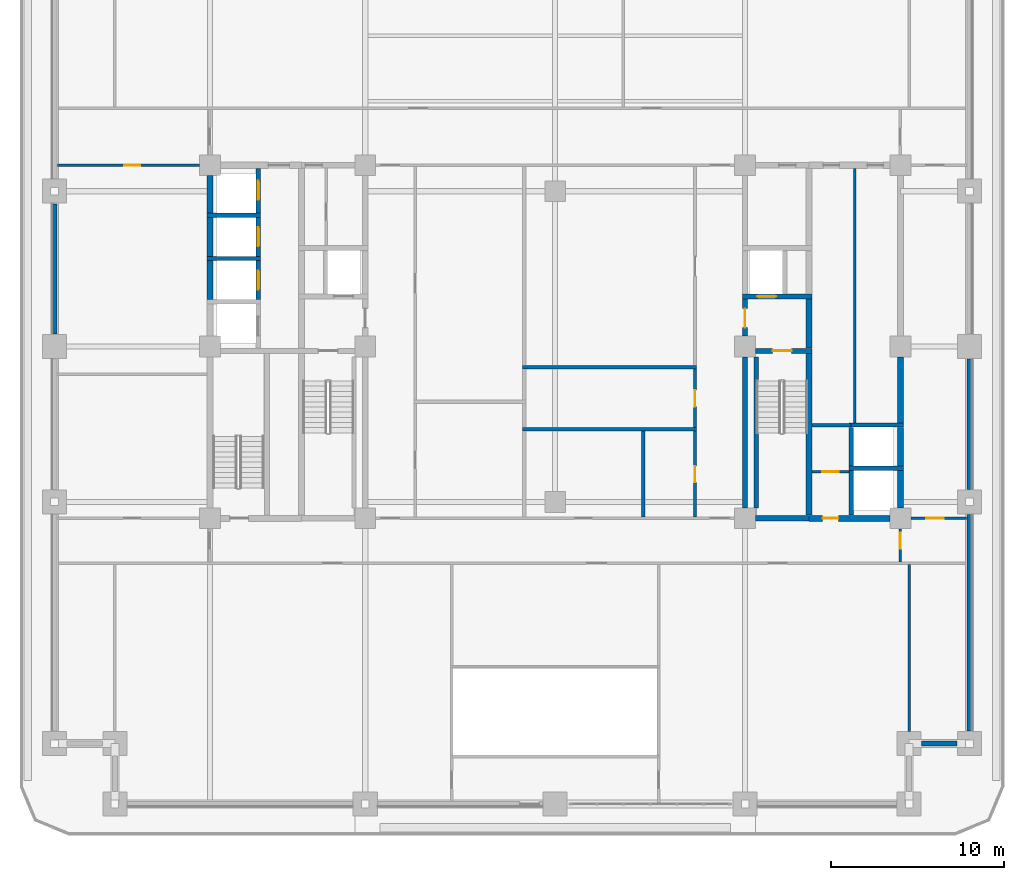
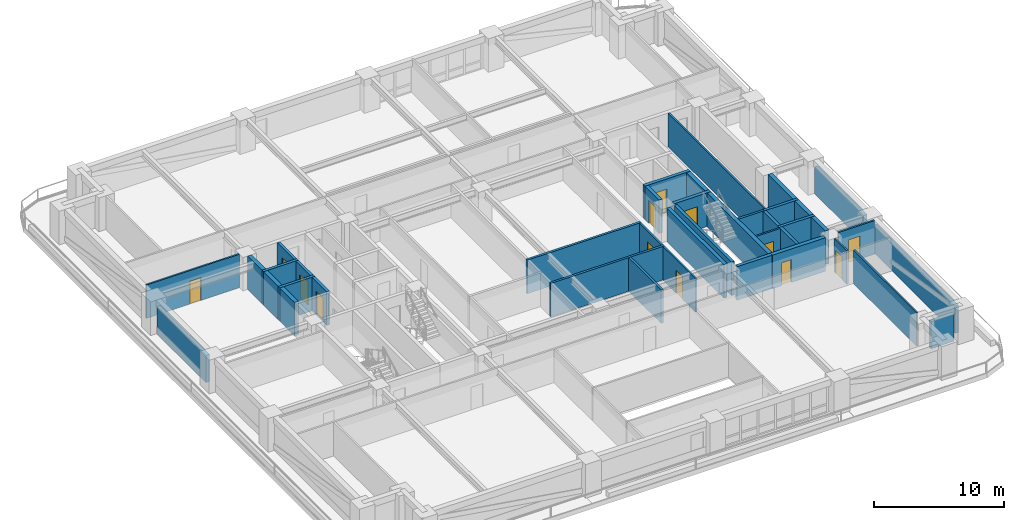
# One storey, part 8 of 18: 40 walls, 13 doors, 13 openings.
"""IFC4 building model written with IfcOpenShell, lengths in metres."""

from ifc_helpers import new_model, si_unit, direction, frame, frame_2d, origin, place, context, subcontext, project, spatial, rectangle, extrude, material, layer, layer_set, type_object, element, fill, save


model = new_model("IFC4")

# Units and contexts
model_context = context("Model", 3, precision=1e-05, world=origin(), true_north=direction((0.0, 1.0)))
body_context = subcontext(model_context, "Body", "Model", "MODEL_VIEW")
ifc_project = project(units=[si_unit("LENGTHUNIT", "METRE"), si_unit("AREAUNIT", "SQUARE_METRE"), si_unit("VOLUMEUNIT", "CUBIC_METRE"), si_unit("PLANEANGLEUNIT", "RADIAN"), si_unit("MASSUNIT", "GRAM", prefix="KILO")], contexts=[model_context])

# Site, building, storey
site_placement = place(None, origin())
site = spatial("IfcSite", under=ifc_project, at=site_placement, CompositionType="ELEMENT")
building_placement = place(site_placement, origin())
building = spatial("IfcBuilding", under=site, at=building_placement, Name="Zulmaris Gate Convention Tower", CompositionType="ELEMENT")
storey_placement = place(building_placement, frame((0.0, 0.0, 78.60986328125)))
storey = spatial("IfcBuildingStorey", under=building, at=storey_placement, Name="L19", CompositionType="ELEMENT", Elevation=78.60986328125)

# Walls
ifc_material_1 = material(Name="Concrete C50/60", Category="concrete")
ifc_layer_1 = layer(ifc_material_1, 0.25, Name="Concrete C50/60")
ifc_layer_set_1 = layer_set([ifc_layer_1], Name="Concrete C50/60")
wall_type_1 = type_object("IfcWallType", Name="CORE-250", PredefinedType="SOLIDWALL", material=ifc_layer_set_1)
for number, where, z_axis, x_axis, name in (
    (1, (17.02490234375, -7.050048828125, 0.0), (0.0, 0.0, 1.0), (1.0, 0.0, 0.0), "WL-L19-005"),
    (2, (17.02490234375, -4.550048828125, 0.0), (0.0, 0.0, 1.0), (1.0, 0.0, 0.0), "WL-L19-006"),
):
    element("IfcWall", number, at=place(storey_placement, frame(where, z_axis=z_axis, x_axis=x_axis)), inside=storey, type_object=wall_type_1, Name=name, PredefinedType="SOLIDWALL", context=body_context, shape_type="SweptSolid", body=[
        extrude(rectangle(XDim=3.150146484375, YDim=0.25, at=frame_2d((1.5751953125, 0.0))), origin(), (0.0, 0.0, 1.0), 3.14501953125),
    ])
for number, where, z_axis, x_axis, name in (
    (3, (-20.175048828125, 5.10009765625, 0.0), (0.0, 0.0, 1.0), (1.0, 0.0, 0.0), "WL-L19-012"),
    (4, (-20.175048828125, 7.60009765625, 0.0), (0.0, 0.0, 1.0), (1.0, 0.0, 0.0), "WL-L19-015"),
):
    element("IfcWall", number, at=place(storey_placement, frame(where, z_axis=z_axis, x_axis=x_axis)), inside=storey, type_object=wall_type_1, Name=name, PredefinedType="SOLIDWALL", context=body_context, shape_type="SweptSolid", body=[
        extrude(rectangle(XDim=3.10009765625, YDim=0.25, at=frame_2d((1.550048828125, 0.0))), origin(), (0.0, 0.0, 1.0), 3.14501953125),
    ])

# Wall, opening, door
wall_1_placement = place(storey_placement, frame((-17.199951171875, 2.72705078125, 0.0), z_axis=(0.0, 0.0, 1.0), x_axis=(0.0, 1.0, 0.0)))
wall_1 = element("IfcWall", 5, at=wall_1_placement, inside=storey, type_object=wall_type_1, Name="WL-L19-042", PredefinedType="SOLIDWALL", context=body_context, shape_type="SweptSolid", body=[
    extrude(rectangle(XDim=2.245849609375, YDim=0.25, at=frame_2d((1.123046875, 0.0))), origin(), (0.0, 0.0, 1.0), 3.14501953125),
])
opening_1_placement = place(wall_1_placement, frame((0.572998046875, 0.0, 0.0)))
opening_1 = element("IfcOpeningElement", 6, at=opening_1_placement, cuts=wall_1, Name="Opening D-06", PredefinedType="OPENING", context=body_context, shape_type="SweptSolid", body=[
    extrude(rectangle(XDim=1.10009765625, YDim=2.199951171875, at=frame_2d((0.550048828125, 1.10009765625))), frame((0.0, 0.135009765625, 0.0), z_axis=(0.0, -1.0, 0.0), x_axis=(1.0, 0.0, 0.0)), (0.0, 0.0, 1.0), 0.27001953125),
])
ifc_material_2 = material(Name="Brushed Stainless Steel", Category="steel")
door_type_1 = type_object("IfcDoorType", Name="LD-1100", OperationType="NOTDEFINED", PredefinedType="DOOR", material=ifc_material_2)
door_1_placement = place(opening_1_placement, origin())
door_1 = element("IfcDoor", 7, at=door_1_placement, inside=storey, type_object=door_type_1, Name="L19 Lift Landing Door LP-02 13", OperationType="SLIDING_TO_LEFT", OverallHeight=2.199951171875, OverallWidth=1.10009765625, PredefinedType="DOOR", context=body_context, shape_type="SweptSolid", body=[
    extrude(rectangle(XDim=1.10009765625, YDim=2.199951171875, at=frame_2d((0.550048828125, 1.10009765625))), frame((0.0, 0.02490234375, 0.0), z_axis=(0.0, -1.0, 0.0), x_axis=(1.0, 0.0, 0.0)), (0.0, 0.0, 1.0), 0.050048828125),
])
fill(opening_1, door_1)

wall_2_placement = place(storey_placement, frame((-17.199951171875, 5.22705078125, 0.0), z_axis=(0.0, 0.0, 1.0), x_axis=(0.0, 1.0, 0.0)))
wall_2 = element("IfcWall", 8, at=wall_2_placement, inside=storey, type_object=wall_type_1, Name="WL-L19-043", PredefinedType="SOLIDWALL", context=body_context, shape_type="SweptSolid", body=[
    extrude(rectangle(XDim=2.245849609375, YDim=0.25, at=frame_2d((1.123046875, 0.0))), origin(), (0.0, 0.0, 1.0), 3.14501953125),
])
opening_2_placement = place(wall_2_placement, frame((0.572998046875, 0.0, 0.0)))
opening_2 = element("IfcOpeningElement", 9, at=opening_2_placement, cuts=wall_2, Name="Opening D-06", PredefinedType="OPENING", context=body_context, shape_type="SweptSolid", body=[
    extrude(rectangle(XDim=1.10009765625, YDim=2.199951171875, at=frame_2d((0.550048828125, 1.10009765625))), frame((0.0, 0.135009765625, 0.0), z_axis=(0.0, -1.0, 0.0), x_axis=(1.0, 0.0, 0.0)), (0.0, 0.0, 1.0), 0.27001953125),
])
door_2_placement = place(opening_2_placement, origin())
door_2 = element("IfcDoor", 10, at=door_2_placement, inside=storey, type_object=door_type_1, Name="L19 Lift Landing Door LP-03 14", OperationType="SLIDING_TO_LEFT", OverallHeight=2.199951171875, OverallWidth=1.10009765625, PredefinedType="DOOR", context=body_context, shape_type="SweptSolid", body=[
    extrude(rectangle(XDim=1.10009765625, YDim=2.199951171875, at=frame_2d((0.550048828125, 1.10009765625))), frame((0.0, 0.02490234375, 0.0), z_axis=(0.0, -1.0, 0.0), x_axis=(1.0, 0.0, 0.0)), (0.0, 0.0, 1.0), 0.050048828125),
])
fill(opening_2, door_2)

wall_3_placement = place(storey_placement, frame((-17.199951171875, 7.72705078125, 0.0), z_axis=(0.0, 0.0, 1.0), x_axis=(0.0, 1.0, 0.0)))
wall_3 = element("IfcWall", 11, at=wall_3_placement, inside=storey, type_object=wall_type_1, Name="WL-L19-044", PredefinedType="SOLIDWALL", context=body_context, shape_type="SweptSolid", body=[
    extrude(rectangle(XDim=2.595947265625, YDim=0.25, at=frame_2d((1.2978515625, 0.0))), origin(), (0.0, 0.0, 1.0), 3.14501953125),
])
opening_3_placement = place(wall_3_placement, frame((0.77294921875, 0.0, 0.0)))
opening_3 = element("IfcOpeningElement", 12, at=opening_3_placement, cuts=wall_3, Name="Opening D-06", PredefinedType="OPENING", context=body_context, shape_type="SweptSolid", body=[
    extrude(rectangle(XDim=1.10009765625, YDim=2.199951171875, at=frame_2d((0.550048828125, 1.10009765625))), frame((0.0, 0.135009765625, 0.0), z_axis=(0.0, -1.0, 0.0), x_axis=(1.0, 0.0, 0.0)), (0.0, 0.0, 1.0), 0.27001953125),
])
door_3_placement = place(opening_3_placement, origin())
door_3 = element("IfcDoor", 13, at=door_3_placement, inside=storey, type_object=door_type_1, Name="L19 Lift Landing Door LP-04 15", OperationType="SLIDING_TO_LEFT", OverallHeight=2.199951171875, OverallWidth=1.10009765625, PredefinedType="DOOR", context=body_context, shape_type="SweptSolid", body=[
    extrude(rectangle(XDim=1.10009765625, YDim=2.199951171875, at=frame_2d((0.550048828125, 1.10009765625))), frame((0.0, 0.02490234375, 0.0), z_axis=(0.0, -1.0, 0.0), x_axis=(1.0, 0.0, 0.0)), (0.0, 0.0, 1.0), 0.050048828125),
])
fill(opening_3, door_3)

# Walls
wall_4_placement = place(storey_placement, frame((11.64990234375, -9.345947265625, 0.0), z_axis=(0.0, 0.0, 1.0), x_axis=(0.0, 1.0, 0.0)))
element("IfcWall", 14, at=wall_4_placement, inside=storey, type_object=wall_type_1, Name="WL-L19-060", PredefinedType="SOLIDWALL", context=body_context, shape_type="SweptSolid", body=[
    extrude(rectangle(XDim=8.741943359375, YDim=0.25, at=frame_2d((4.37109375, 0.0))), origin(), (0.0, 0.0, 1.0), 3.14501953125),
])
wall_5_placement = place(storey_placement, frame((17.14990234375, -9.77294921875, 0.0), z_axis=(0.0, 0.0, 1.0), x_axis=(0.0, 1.0, 0.0)))
element("IfcWall", 15, at=wall_5_placement, inside=storey, type_object=wall_type_1, Name="WL-L19-066", PredefinedType="SOLIDWALL", context=body_context, shape_type="SweptSolid", body=[
    extrude(rectangle(XDim=2.595947265625, YDim=0.25, at=frame_2d((1.2978515625, 0.0))), origin(), (0.0, 0.0, 1.0), 3.14501953125),
])
wall_6_placement = place(storey_placement, frame((17.14990234375, -6.923095703125, 0.0), z_axis=(0.0, 0.0, 1.0), x_axis=(0.0, 1.0, 0.0)))
element("IfcWall", 16, at=wall_6_placement, inside=storey, type_object=wall_type_1, Name="WL-L19-067", PredefinedType="SOLIDWALL", context=body_context, shape_type="SweptSolid", body=[
    extrude(rectangle(XDim=2.24609375, YDim=0.25, at=frame_2d((1.123046875, 0.0))), origin(), (0.0, 0.0, 1.0), 3.14501953125),
])
ifc_layer_2 = layer(ifc_material_1, 0.300048828125, Name="Concrete C50/60")
ifc_layer_set_2 = layer_set([ifc_layer_2], Name="Concrete C50/60")
wall_type_2 = type_object("IfcWallType", Name="CORE-300", PredefinedType="SHEAR", material=ifc_layer_set_2)
wall_7_placement = place(storey_placement, frame((11.60400390625, -9.949951171875, 0.0), z_axis=(0.0, 0.0, 1.0), x_axis=(1.0, 0.0, 0.0)))
element("IfcWall", 17, at=wall_7_placement, inside=storey, type_object=wall_type_2, Name="WL-L19-003", PredefinedType="SHEAR", context=body_context, shape_type="SweptSolid", body=[
    extrude(rectangle(XDim=3.095947265625, YDim=0.300048828125, at=frame_2d((1.5478515625, 0.0))), origin(), (0.0, 0.0, 1.0), 3.14501953125),
])

# Wall, opening, door
wall_8_placement = place(storey_placement, frame((11.60400390625, -0.25, 0.0), z_axis=(0.0, 0.0, 1.0), x_axis=(1.0, 0.0, 0.0)))
wall_8 = element("IfcWall", 18, at=wall_8_placement, inside=storey, type_object=wall_type_2, Name="WL-L19-008", PredefinedType="SHEAR", context=body_context, shape_type="SweptSolid", body=[
    extrude(rectangle(XDim=3.27099609375, YDim=0.300048828125, at=frame_2d((1.635498046875, 0.0))), origin(), (0.0, 0.0, 1.0), 3.14501953125),
])
opening_4_placement = place(wall_8_placement, frame((0.99609375, 0.0, 0.0)))
opening_4 = element("IfcOpeningElement", 19, at=opening_4_placement, cuts=wall_8, Name="Opening D-08", PredefinedType="OPENING", context=body_context, shape_type="SweptSolid", body=[
    extrude(rectangle(XDim=1.10009765625, YDim=2.14990234375, at=frame_2d((0.550048828125, 1.074951171875))), frame((0.0, 0.16015625, 0.0), z_axis=(0.0, -1.0, 0.0), x_axis=(1.0, 0.0, 0.0)), (0.0, 0.0, 1.0), 0.320068359375),
])
ifc_material_3 = material(Name="Fire-Rated Steel", Category="steel")
door_type_2 = type_object("IfcDoorType", Name="DR-1100-FD", OperationType="NOTDEFINED", PredefinedType="DOOR", material=ifc_material_3)
door_4_placement = place(opening_4_placement, origin())
door_4 = element("IfcDoor", 20, at=door_4_placement, inside=storey, type_object=door_type_2, Name="L19 Exit Stair ST-2 Door 04", OperationType="SINGLE_SWING_RIGHT", OverallHeight=2.14990234375, OverallWidth=1.10009765625, PredefinedType="DOOR", context=body_context, shape_type="SweptSolid", body=[
    extrude(rectangle(XDim=1.10009765625, YDim=2.14990234375, at=frame_2d((0.550048828125, 1.074951171875))), frame((0.0, 0.02490234375, 0.0), z_axis=(0.0, -1.0, 0.0), x_axis=(1.0, 0.0, 0.0)), (0.0, 0.0, 1.0), 0.050048828125),
])
fill(opening_4, door_4)

wall_9_placement = place(storey_placement, frame((10.85009765625, 2.89990234375, 0.0), z_axis=(0.0, 0.0, 1.0), x_axis=(1.0, 0.0, 0.0)))
wall_9 = element("IfcWall", 21, at=wall_9_placement, inside=storey, type_object=wall_type_2, Name="WL-L19-011", PredefinedType="SHEAR", context=body_context, shape_type="SweptSolid", body=[
    extrude(rectangle(XDim=4.02490234375, YDim=0.300048828125, at=frame_2d((2.012451171875, 0.0))), origin(), (0.0, 0.0, 1.0), 3.14501953125),
])
opening_5_placement = place(wall_9_placement, frame((0.85009765625, 0.0, 0.0)))
opening_5 = element("IfcOpeningElement", 22, at=opening_5_placement, cuts=wall_9, Name="Opening D-06", PredefinedType="OPENING", context=body_context, shape_type="SweptSolid", body=[
    extrude(rectangle(XDim=1.10009765625, YDim=2.199951171875, at=frame_2d((0.550048828125, 1.10009765625))), frame((0.0, 0.16015625, 0.0), z_axis=(0.0, -1.0, 0.0), x_axis=(1.0, 0.0, 0.0)), (0.0, 0.0, 1.0), 0.320068359375),
])
door_5_placement = place(opening_5_placement, origin())
door_5 = element("IfcDoor", 23, at=door_5_placement, inside=storey, type_object=door_type_1, Name="L19 Lift Landing Door LF-02 06", OperationType="SLIDING_TO_RIGHT", OverallHeight=2.199951171875, OverallWidth=1.10009765625, PredefinedType="DOOR", context=body_context, shape_type="SweptSolid", body=[
    extrude(rectangle(XDim=1.10009765625, YDim=2.199951171875, at=frame_2d((0.550048828125, 1.10009765625))), frame((0.0, 0.02490234375, 0.0), z_axis=(0.0, -1.0, 0.0), x_axis=(1.0, 0.0, 0.0)), (0.0, 0.0, 1.0), 0.050048828125),
])
fill(opening_5, door_5)

# Wall
wall_10_placement = place(storey_placement, frame((11.0, -9.345947265625, 0.0), z_axis=(0.0, 0.0, 1.0), x_axis=(0.0, 1.0, 0.0)))
element("IfcWall", 24, at=wall_10_placement, inside=storey, type_object=wall_type_2, Name="WL-L19-056", PredefinedType="SHEAR", context=body_context, shape_type="SweptSolid", body=[
    extrude(rectangle(XDim=8.741943359375, YDim=0.300048828125, at=frame_2d((4.37109375, 0.0))), origin(), (0.0, 0.0, 1.0), 3.14501953125),
])

# Wall, opening, door
wall_11_placement = place(storey_placement, frame((11.0, 0.60400390625, 0.0), z_axis=(0.0, 0.0, 1.0), x_axis=(0.0, 1.0, 0.0)))
wall_11 = element("IfcWall", 25, at=wall_11_placement, inside=storey, type_object=wall_type_2, Name="WL-L19-057", PredefinedType="SHEAR", context=body_context, shape_type="SweptSolid", body=[
    extrude(rectangle(XDim=2.14404296875, YDim=0.300048828125, at=frame_2d((1.072021484375, 0.0))), origin(), (0.0, 0.0, 1.0), 3.14501953125),
])
opening_6_placement = place(wall_11_placement, frame((0.49609375, 0.0, 0.0)))
opening_6 = element("IfcOpeningElement", 26, at=opening_6_placement, cuts=wall_11, Name="Opening D-08", PredefinedType="OPENING", context=body_context, shape_type="SweptSolid", body=[
    extrude(rectangle(XDim=1.10009765625, YDim=2.14990234375, at=frame_2d((0.550048828125, 1.074951171875))), frame((0.0, 0.16015625, 0.0), z_axis=(0.0, -1.0, 0.0), x_axis=(1.0, 0.0, 0.0)), (0.0, 0.0, 1.0), 0.320068359375),
])
door_6_placement = place(opening_6_placement, origin())
door_6 = element("IfcDoor", 27, at=door_6_placement, inside=storey, type_object=door_type_2, Name="L19 East Firefighting Lobby Door 05", OperationType="SINGLE_SWING_LEFT", OverallHeight=2.14990234375, OverallWidth=1.10009765625, PredefinedType="DOOR", context=body_context, shape_type="SweptSolid", body=[
    extrude(rectangle(XDim=1.10009765625, YDim=2.14990234375, at=frame_2d((0.550048828125, 1.074951171875))), frame((0.0, 0.02490234375, 0.0), z_axis=(0.0, -1.0, 0.0), x_axis=(1.0, 0.0, 0.0)), (0.0, 0.0, 1.0), 0.050048828125),
])
fill(opening_6, door_6)

ifc_material_4 = material(Name="Concrete C55/67", Category="concrete")
ifc_layer_3 = layer(ifc_material_4, 0.35009765625, Name="Concrete C55/67")
ifc_layer_set_3 = layer_set([ifc_layer_3], Name="Concrete C55/67")
wall_type_3 = type_object("IfcWallType", Name="CORE-350", PredefinedType="SHEAR", material=ifc_layer_set_3)
wall_12_placement = place(storey_placement, frame((14.699951171875, -9.949951171875, 0.0), z_axis=(0.0, 0.0, 1.0), x_axis=(1.0, 0.0, 0.0)))
wall_12 = element("IfcWall", 28, at=wall_12_placement, inside=storey, type_object=wall_type_3, Name="WL-L19-004", PredefinedType="SHEAR", context=body_context, shape_type="SweptSolid", body=[
    extrude(rectangle(XDim=4.696044921875, YDim=0.35009765625, at=frame_2d((2.34814453125, 0.0))), origin(), (0.0, 0.0, 1.0), 3.14501953125),
])
opening_7_placement = place(wall_12_placement, frame((0.800048828125, 0.0, 0.0)))
opening_7 = element("IfcOpeningElement", 29, at=opening_7_placement, cuts=wall_12, Name="Opening D-12", PredefinedType="OPENING", context=body_context, shape_type="SweptSolid", body=[
    extrude(rectangle(XDim=0.89990234375, YDim=2.14990234375, at=frame_2d((0.449951171875, 1.074951171875))), frame((0.0, 0.18505859375, 0.0), z_axis=(0.0, -1.0, 0.0), x_axis=(1.0, 0.0, 0.0)), (0.0, 0.0, 1.0), 0.3701171875),
])
ifc_material_5 = material(Name="Fire-Rated Timber", Category="wood")
door_type_3 = type_object("IfcDoorType", Name="DR-900-FD", OperationType="NOTDEFINED", PredefinedType="DOOR", material=ifc_material_5)
door_7_placement = place(opening_7_placement, origin())
door_7 = element("IfcDoor", 30, at=door_7_placement, inside=storey, type_object=door_type_3, Name="L19 East Cleaners Store Door 16", OperationType="SINGLE_SWING_LEFT", OverallHeight=2.14990234375, OverallWidth=0.89990234375, PredefinedType="DOOR", context=body_context, shape_type="SweptSolid", body=[
    extrude(rectangle(XDim=0.89990234375, YDim=2.14990234375, at=frame_2d((0.449951171875, 1.074951171875))), frame((0.0, 0.02490234375, 0.0), z_axis=(0.0, -1.0, 0.0), x_axis=(1.0, 0.0, 0.0)), (0.0, 0.0, 1.0), 0.050048828125),
])
fill(opening_7, door_7)

# Walls
for number, where, z_axis, x_axis, name in (
    (31, (-20.0, 2.72705078125, 0.0), (0.0, 0.0, 1.0), (0.0, 1.0, 0.0), "WL-L19-038"),
    (32, (-20.0, 5.22705078125, 0.0), (0.0, 0.0, 1.0), (0.0, 1.0, 0.0), "WL-L19-039"),
):
    element("IfcWall", number, at=place(storey_placement, frame(where, z_axis=z_axis, x_axis=x_axis)), inside=storey, type_object=wall_type_3, Name=name, PredefinedType="SHEAR", context=body_context, shape_type="SweptSolid", body=[
        extrude(rectangle(XDim=2.245849609375, YDim=0.35009765625, at=frame_2d((1.123046875, 0.0))), origin(), (0.0, 0.0, 1.0), 3.14501953125),
    ])
wall_13_placement = place(storey_placement, frame((-20.0, 7.72705078125, 0.0), z_axis=(0.0, 0.0, 1.0), x_axis=(0.0, 1.0, 0.0)))
element("IfcWall", 33, at=wall_13_placement, inside=storey, type_object=wall_type_3, Name="WL-L19-040", PredefinedType="SHEAR", context=body_context, shape_type="SweptSolid", body=[
    extrude(rectangle(XDim=2.1689453125, YDim=0.35009765625, at=frame_2d((1.08447265625, 0.0))), origin(), (0.0, 0.0, 1.0), 3.14501953125),
])
wall_14_placement = place(storey_placement, frame((14.699951171875, -9.77294921875, 0.0), z_axis=(0.0, 0.0, 1.0), x_axis=(0.0, 1.0, 0.0)))
element("IfcWall", 34, at=wall_14_placement, inside=storey, type_object=wall_type_3, Name="WL-L19-062", PredefinedType="SHEAR", context=body_context, shape_type="SweptSolid", body=[
    extrude(rectangle(XDim=9.370849609375, YDim=0.35009765625, at=frame_2d((4.685546875, 0.0))), origin(), (0.0, 0.0, 1.0), 3.14501953125),
])
wall_15_placement = place(storey_placement, frame((14.699951171875, -0.097900390625, 0.0), z_axis=(0.0, 0.0, 1.0), x_axis=(0.0, 1.0, 0.0)))
element("IfcWall", 35, at=wall_15_placement, inside=storey, type_object=wall_type_3, Name="WL-L19-063", PredefinedType="SHEAR", context=body_context, shape_type="SweptSolid", body=[
    extrude(rectangle(XDim=2.845947265625, YDim=0.35009765625, at=frame_2d((1.4228515625, 0.0))), origin(), (0.0, 0.0, 1.0), 3.14501953125),
])
wall_16_placement = place(storey_placement, frame((20.0, -9.345947265625, 0.0), z_axis=(0.0, 0.0, 1.0), x_axis=(0.0, 1.0, 0.0)))
element("IfcWall", 36, at=wall_16_placement, inside=storey, type_object=wall_type_3, Name="WL-L19-068", PredefinedType="SHEAR", context=body_context, shape_type="SweptSolid", body=[
    extrude(rectangle(XDim=2.1689453125, YDim=0.35009765625, at=frame_2d((1.08447265625, 0.0))), origin(), (0.0, 0.0, 1.0), 3.14501953125),
])
wall_17_placement = place(storey_placement, frame((20.0, -6.923095703125, 0.0), z_axis=(0.0, 0.0, 1.0), x_axis=(0.0, 1.0, 0.0)))
element("IfcWall", 37, at=wall_17_placement, inside=storey, type_object=wall_type_3, Name="WL-L19-069", PredefinedType="SHEAR", context=body_context, shape_type="SweptSolid", body=[
    extrude(rectangle(XDim=2.24609375, YDim=0.35009765625, at=frame_2d((1.123046875, 0.0))), origin(), (0.0, 0.0, 1.0), 3.14501953125),
])
wall_18_placement = place(storey_placement, frame((20.0, -4.423095703125, 0.0), z_axis=(0.0, 0.0, 1.0), x_axis=(0.0, 1.0, 0.0)))
element("IfcWall", 38, at=wall_18_placement, inside=storey, type_object=wall_type_3, Name="WL-L19-070", PredefinedType="SHEAR", context=body_context, shape_type="SweptSolid", body=[
    extrude(rectangle(XDim=3.819091796875, YDim=0.35009765625, at=frame_2d((1.90966796875, 0.0))), origin(), (0.0, 0.0, 1.0), 3.14501953125),
])

# Wall, opening, door
ifc_material_6 = material(Name="Gypsum Metal Stud Partition")
ifc_layer_4 = layer(ifc_material_6, 0.14990234375, Name="Gypsum Metal Stud Partition")
ifc_layer_set_4 = layer_set([ifc_layer_4], Name="Gypsum Metal Stud Partition")
wall_type_4 = type_object("IfcWallType", Name="PART-150", PredefinedType="PARTITIONING", material=ifc_layer_set_4)
wall_19_placement = place(storey_placement, frame((20.60595703125, -9.949951171875, 0.0), z_axis=(0.0, 0.0, 1.0), x_axis=(1.0, 0.0, 0.0)))
wall_19 = element("IfcWall", 39, at=wall_19_placement, inside=storey, type_object=wall_type_4, Name="WL-L19-025", PredefinedType="PARTITIONING", context=body_context, shape_type="SweptSolid", body=[
    extrude(rectangle(XDim=3.22900390625, YDim=0.14990234375, at=frame_2d((1.614501953125, 0.0))), origin(), (0.0, 0.0, 1.0), 3.14501953125),
])
opening_8_placement = place(wall_19_placement, frame((0.89404296875, 0.0, 0.0)))
opening_8 = element("IfcOpeningElement", 40, at=opening_8_placement, cuts=wall_19, Name="Opening D-10", PredefinedType="OPENING", context=body_context, shape_type="SweptSolid", body=[
    extrude(rectangle(XDim=1.0, YDim=2.14990234375, at=frame_2d((0.5, 1.074951171875))), frame((0.0, 0.0849609375, 0.0), z_axis=(0.0, -1.0, 0.0), x_axis=(1.0, 0.0, 0.0)), (0.0, 0.0, 1.0), 0.169921875),
])
door_type_4 = type_object("IfcDoorType", Name="DR-1000-FD", OperationType="NOTDEFINED", PredefinedType="DOOR", material=ifc_material_5)
door_8_placement = place(opening_8_placement, origin())
door_8 = element("IfcDoor", 41, at=door_8_placement, inside=storey, type_object=door_type_4, Name="L19 East Workplace South Door 44", OperationType="SINGLE_SWING_LEFT", OverallHeight=2.14990234375, OverallWidth=1.0, PredefinedType="DOOR", context=body_context, shape_type="SweptSolid", body=[
    extrude(rectangle(XDim=1.0, YDim=2.14990234375, at=frame_2d((0.5, 1.074951171875))), frame((0.0, 0.02490234375, 0.0), z_axis=(0.0, -1.0, 0.0), x_axis=(1.0, 0.0, 0.0)), (0.0, 0.0, 1.0), 0.050048828125),
])
fill(opening_8, door_8)

wall_20_placement = place(storey_placement, frame((14.8779296875, -7.25, 0.0), z_axis=(0.0, 0.0, 1.0), x_axis=(1.0, 0.0, 0.0)))
wall_20 = element("IfcWall", 42, at=wall_20_placement, inside=storey, type_object=wall_type_4, Name="WL-L19-026", PredefinedType="PARTITIONING", context=body_context, shape_type="SweptSolid", body=[
    extrude(rectangle(XDim=2.14404296875, YDim=0.14990234375, at=frame_2d((1.072021484375, 0.0))), origin(), (0.0, 0.0, 1.0), 3.14501953125),
])
opening_9_placement = place(wall_20_placement, frame((0.596923828125, 0.0, 0.0)))
opening_9 = element("IfcOpeningElement", 43, at=opening_9_placement, cuts=wall_20, Name="Opening D-11", PredefinedType="OPENING", context=body_context, shape_type="SweptSolid", body=[
    extrude(rectangle(XDim=0.949951171875, YDim=2.14990234375, at=frame_2d((0.47509765625, 1.074951171875))), frame((0.0, 0.0849609375, 0.0), z_axis=(0.0, -1.0, 0.0), x_axis=(1.0, 0.0, 0.0)), (0.0, 0.0, 1.0), 0.169921875),
])
door_type_5 = type_object("IfcDoorType", Name="DR-950-FD", OperationType="NOTDEFINED", PredefinedType="DOOR", material=ifc_material_5)
door_9_placement = place(opening_9_placement, origin())
door_9 = element("IfcDoor", 44, at=door_9_placement, inside=storey, type_object=door_type_5, Name="L19 East Meter Store Door 17", OperationType="SINGLE_SWING_RIGHT", OverallHeight=2.14990234375, OverallWidth=0.949951171875, PredefinedType="DOOR", context=body_context, shape_type="SweptSolid", body=[
    extrude(rectangle(XDim=0.949951171875, YDim=2.14990234375, at=frame_2d((0.47509765625, 1.074951171875))), frame((0.0, 0.02490234375, 0.0), z_axis=(0.0, -1.0, 0.0), x_axis=(1.0, 0.0, 0.0)), (0.0, 0.0, 1.0), 0.050048828125),
])
fill(opening_9, door_9)

wall_21_placement = place(storey_placement, frame((-28.8349609375, 10.5, 0.0), z_axis=(0.0, 0.0, 1.0), x_axis=(1.0, 0.0, 0.0)))
wall_21 = element("IfcWall", 45, at=wall_21_placement, inside=storey, type_object=wall_type_4, Name="WL-L19-032", PredefinedType="PARTITIONING", context=body_context, shape_type="SweptSolid", body=[
    extrude(rectangle(XDim=8.22900390625, YDim=0.14990234375, at=frame_2d((4.114501953125, 0.0))), origin(), (0.0, 0.0, 1.0), 3.14501953125),
])
opening_10_placement = place(wall_21_placement, frame((3.860107421875, 0.0, 0.0)))
opening_10 = element("IfcOpeningElement", 46, at=opening_10_placement, cuts=wall_21, Name="Opening D-11", PredefinedType="OPENING", context=body_context, shape_type="SweptSolid", body=[
    extrude(rectangle(XDim=0.949951171875, YDim=2.14990234375, at=frame_2d((0.47509765625, 1.074951171875))), frame((0.0, 0.0849609375, 0.0), z_axis=(0.0, -1.0, 0.0), x_axis=(1.0, 0.0, 0.0)), (0.0, 0.0, 1.0), 0.169921875),
])
door_10_placement = place(opening_10_placement, origin())
door_10 = element("IfcDoor", 47, at=door_10_placement, inside=storey, type_object=door_type_5, Name="L19 NW Partner Door 39", OperationType="SINGLE_SWING_RIGHT", OverallHeight=2.14990234375, OverallWidth=0.949951171875, PredefinedType="DOOR", context=body_context, shape_type="SweptSolid", body=[
    extrude(rectangle(XDim=0.949951171875, YDim=2.14990234375, at=frame_2d((0.47509765625, 1.074951171875))), frame((0.0, 0.02490234375, 0.0), z_axis=(0.0, -1.0, 0.0), x_axis=(1.0, 0.0, 0.0)), (0.0, 0.0, 1.0), 0.050048828125),
])
fill(opening_10, door_10)

wall_22_placement = place(storey_placement, frame((8.10009765625, -9.8720703125, 0.0), z_axis=(0.0, 0.0, 1.0), x_axis=(0.0, 1.0, 0.0)))
wall_22 = element("IfcWall", 48, at=wall_22_placement, inside=storey, type_object=wall_type_4, Name="WL-L19-090", PredefinedType="PARTITIONING", context=body_context, shape_type="SweptSolid", body=[
    extrude(rectangle(XDim=4.968994140625, YDim=0.14990234375, at=frame_2d((2.484375, 0.0))), origin(), (0.0, 0.0, 1.0), 3.14501953125),
])
opening_11_placement = place(wall_22_placement, frame((1.9970703125, 0.0, 0.0)))
opening_11 = element("IfcOpeningElement", 49, at=opening_11_placement, cuts=wall_22, Name="Opening D-11", PredefinedType="OPENING", context=body_context, shape_type="SweptSolid", body=[
    extrude(rectangle(XDim=0.949951171875, YDim=2.14990234375, at=frame_2d((0.47509765625, 1.074951171875))), frame((0.0, 0.0849609375, 0.0), z_axis=(0.0, -1.0, 0.0), x_axis=(1.0, 0.0, 0.0)), (0.0, 0.0, 1.0), 0.169921875),
])
door_11_placement = place(opening_11_placement, origin())
door_11 = element("IfcDoor", 50, at=door_11_placement, inside=storey, type_object=door_type_5, Name="L19 Accessible WC Door 35", OperationType="SINGLE_SWING_RIGHT", OverallHeight=2.14990234375, OverallWidth=0.949951171875, PredefinedType="DOOR", context=body_context, shape_type="SweptSolid", body=[
    extrude(rectangle(XDim=0.949951171875, YDim=2.14990234375, at=frame_2d((0.47509765625, 1.074951171875))), frame((0.0, 0.02490234375, 0.0), z_axis=(0.0, -1.0, 0.0), x_axis=(1.0, 0.0, 0.0)), (0.0, 0.0, 1.0), 0.050048828125),
])
fill(opening_11, door_11)

wall_23_placement = place(storey_placement, frame((8.10009765625, -4.697021484375, 0.0), z_axis=(0.0, 0.0, 1.0), x_axis=(0.0, 1.0, 0.0)))
wall_23 = element("IfcWall", 51, at=wall_23_placement, inside=storey, type_object=wall_type_4, Name="WL-L19-091", PredefinedType="PARTITIONING", context=body_context, shape_type="SweptSolid", body=[
    extrude(rectangle(XDim=3.39404296875, YDim=0.14990234375, at=frame_2d((1.697021484375, 0.0))), origin(), (0.0, 0.0, 1.0), 3.14501953125),
])
opening_12_placement = place(wall_23_placement, frame((1.221923828125, 0.0, 0.0)))
opening_12 = element("IfcOpeningElement", 52, at=opening_12_placement, cuts=wall_23, Name="Opening D-11", PredefinedType="OPENING", context=body_context, shape_type="SweptSolid", body=[
    extrude(rectangle(XDim=0.949951171875, YDim=2.14990234375, at=frame_2d((0.47509765625, 1.074951171875))), frame((0.0, 0.0849609375, 0.0), z_axis=(0.0, -1.0, 0.0), x_axis=(1.0, 0.0, 0.0)), (0.0, 0.0, 1.0), 0.169921875),
])
door_12_placement = place(opening_12_placement, origin())
door_12 = element("IfcDoor", 53, at=door_12_placement, inside=storey, type_object=door_type_5, Name="L19 Public WC Door 34", OperationType="SINGLE_SWING_LEFT", OverallHeight=2.14990234375, OverallWidth=0.949951171875, PredefinedType="DOOR", context=body_context, shape_type="SweptSolid", body=[
    extrude(rectangle(XDim=0.949951171875, YDim=2.14990234375, at=frame_2d((0.47509765625, 1.074951171875))), frame((0.0, 0.02490234375, 0.0), z_axis=(0.0, -1.0, 0.0), x_axis=(1.0, 0.0, 0.0)), (0.0, 0.0, 1.0), 0.050048828125),
])
fill(opening_12, door_12)

# Wall
wall_24_placement = place(storey_placement, frame((17.35009765625, -4.422119140625, 0.0), z_axis=(0.0, 0.0, 1.0), x_axis=(0.0, 1.0, 0.0)))
element("IfcWall", 54, at=wall_24_placement, inside=storey, type_object=wall_type_4, Name="WL-L19-093", PredefinedType="PARTITIONING", context=body_context, shape_type="SweptSolid", body=[
    extrude(rectangle(XDim=14.744140625, YDim=0.14990234375, at=frame_2d((7.3720703125, 0.0))), origin(), (0.0, 0.0, 1.0), 3.14501953125),
])

# Wall, opening, door
wall_25_placement = place(storey_placement, frame((20.0, -12.471923828125, 0.0), z_axis=(0.0, 0.0, 1.0), x_axis=(0.0, 1.0, 0.0)))
wall_25 = element("IfcWall", 55, at=wall_25_placement, inside=storey, type_object=wall_type_4, Name="WL-L19-094", PredefinedType="PARTITIONING", context=body_context, shape_type="SweptSolid", body=[
    extrude(rectangle(XDim=1.916015625, YDim=0.14990234375, at=frame_2d((0.9580078125, 0.0))), origin(), (0.0, 0.0, 1.0), 3.14501953125),
])
opening_13_placement = place(wall_25_placement, frame((0.7470703125, 0.0, 0.0)))
opening_13 = element("IfcOpeningElement", 56, at=opening_13_placement, cuts=wall_25, Name="Opening D-11", PredefinedType="OPENING", context=body_context, shape_type="SweptSolid", body=[
    extrude(rectangle(XDim=0.949951171875, YDim=2.14990234375, at=frame_2d((0.47509765625, 1.074951171875))), frame((0.0, 0.0849609375, 0.0), z_axis=(0.0, -1.0, 0.0), x_axis=(1.0, 0.0, 0.0)), (0.0, 0.0, 1.0), 0.169921875),
])
door_13_placement = place(opening_13_placement, origin())
door_13 = element("IfcDoor", 57, at=door_13_placement, inside=storey, type_object=door_type_5, Name="L19 SE Spur Door 42", OperationType="SINGLE_SWING_LEFT", OverallHeight=2.14990234375, OverallWidth=0.949951171875, PredefinedType="DOOR", context=body_context, shape_type="SweptSolid", body=[
    extrude(rectangle(XDim=0.949951171875, YDim=2.14990234375, at=frame_2d((0.47509765625, 1.074951171875))), frame((0.0, 0.02490234375, 0.0), z_axis=(0.0, -1.0, 0.0), x_axis=(1.0, 0.0, 0.0)), (0.0, 0.0, 1.0), 0.050048828125),
])
fill(opening_13, door_13)

# Walls
wall_26_placement = place(storey_placement, frame((20.5, -22.2939453125, 0.0), z_axis=(0.0, 0.0, 1.0), x_axis=(0.0, 1.0, 0.0)))
element("IfcWall", 58, at=wall_26_placement, inside=storey, type_object=wall_type_4, Name="WL-L19-096", PredefinedType="PARTITIONING", context=body_context, shape_type="SweptSolid", body=[
    extrude(rectangle(XDim=9.666015625, YDim=0.14990234375, at=frame_2d((4.8330078125, 0.0))), origin(), (0.0, 0.0, 1.0), 3.14501953125),
])
ifc_material_7 = material(Name="Autoclaved Aerated Concrete Block and Plasterboard", Category="concrete")
ifc_layer_5 = layer(ifc_material_7, 0.199951171875, Name="Autoclaved Aerated Concrete Block and Plasterboard")
ifc_layer_set_5 = layer_set([ifc_layer_5], Name="Autoclaved Aerated Concrete Block and Plasterboard")
wall_type_5 = type_object("IfcWallType", Name="PART-200", PredefinedType="PARTITIONING", material=ifc_layer_set_5)
wall_27_placement = place(storey_placement, frame((-1.89990234375, -4.800048828125, 0.0), z_axis=(0.0, 0.0, 1.0), x_axis=(1.0, 0.0, 0.0)))
element("IfcWall", 59, at=wall_27_placement, inside=storey, type_object=wall_type_5, Name="WL-L19-027", PredefinedType="PARTITIONING", context=body_context, shape_type="SweptSolid", body=[
    extrude(rectangle(XDim=10.074951171875, YDim=0.199951171875, at=frame_2d((5.03759765625, 0.0))), origin(), (0.0, 0.0, 1.0), 3.14501953125),
])
wall_28_placement = place(storey_placement, frame((14.8779296875, -4.550048828125, 0.0), z_axis=(0.0, 0.0, 1.0), x_axis=(1.0, 0.0, 0.0)))
element("IfcWall", 60, at=wall_28_placement, inside=storey, type_object=wall_type_5, Name="WL-L19-028", PredefinedType="PARTITIONING", context=body_context, shape_type="SweptSolid", body=[
    extrude(rectangle(XDim=2.27197265625, YDim=0.199951171875, at=frame_2d((1.135986328125, 0.0))), origin(), (0.0, 0.0, 1.0), 3.14501953125),
])
wall_29_placement = place(storey_placement, frame((-1.89990234375, -1.199951171875, 0.0), z_axis=(0.0, 0.0, 1.0), x_axis=(1.0, 0.0, 0.0)))
element("IfcWall", 61, at=wall_29_placement, inside=storey, type_object=wall_type_5, Name="WL-L19-031", PredefinedType="PARTITIONING", context=body_context, shape_type="SweptSolid", body=[
    extrude(rectangle(XDim=10.074951171875, YDim=0.199951171875, at=frame_2d((5.03759765625, 0.0))), origin(), (0.0, 0.0, 1.0), 3.14501953125),
])
wall_30_placement = place(storey_placement, frame((5.10009765625, -9.8720703125, 0.0), z_axis=(0.0, 0.0, 1.0), x_axis=(0.0, 1.0, 0.0)))
element("IfcWall", 62, at=wall_30_placement, inside=storey, type_object=wall_type_5, Name="WL-L19-086", PredefinedType="PARTITIONING", context=body_context, shape_type="SweptSolid", body=[
    extrude(rectangle(XDim=4.968994140625, YDim=0.199951171875, at=frame_2d((2.484375, 0.0))), origin(), (0.0, 0.0, 1.0), 3.14501953125),
])
ifc_material_8 = material(Name="Precast concrete C40/50", Category="concrete")
ifc_layer_6 = layer(ifc_material_8, 0.300048828125, Name="Precast concrete C40/50")
ifc_layer_set_6 = layer_set([ifc_layer_6], Name="Precast concrete C40/50")
wall_type_6 = type_object("IfcWallType", Name="PRECAST-PIER-300", PredefinedType="STANDARD", material=ifc_layer_set_6)
wall_31_placement = place(storey_placement, frame((21.22998046875, -23.0, 0.0), z_axis=(0.0, 0.0, 1.0), x_axis=(1.0, 0.0, 0.0)))
element("IfcWall", 63, at=wall_31_placement, inside=storey, type_object=wall_type_6, Name="EW-L19-NOTCH-SE2_0", PredefinedType="STANDARD", context=body_context, shape_type="SweptSolid", body=[
    extrude(rectangle(XDim=2.0400390625, YDim=0.300048828125, at=frame_2d((1.02001953125, 0.0))), origin(), (0.0, 0.0, 1.0), 2.537109375),
])
wall_32_placement = place(storey_placement, frame((24.0, -22.27001953125, 0.0), z_axis=(0.0, 0.0, 1.0), x_axis=(0.0, 1.0, 0.0)))
element("IfcWall", 64, at=wall_32_placement, inside=storey, type_object=wall_type_6, Name="EW-L19-E-0_0", PredefinedType="STANDARD", context=body_context, shape_type="SweptSolid", body=[
    extrude(rectangle(XDim=12.5400390625, YDim=0.300048828125, at=frame_2d((6.27001953125, 0.0))), origin(), (0.0, 0.0, 1.0), 2.537109375),
])
for number, where, z_axis, x_axis, name in (
    (65, (24.0, -8.27001953125, 0.0), (0.0, 0.0, 1.0), (0.0, 1.0, 0.0), "EW-L19-E-1_0"),
    (66, (-29.0, 8.27001953125, 0.0), (0.0, 0.0, 1.0), (0.0, -1.0, 0.0), "EW-L19-W-2_0"),
):
    element("IfcWall", number, at=place(storey_placement, frame(where, z_axis=z_axis, x_axis=x_axis)), inside=storey, type_object=wall_type_6, Name=name, PredefinedType="STANDARD", context=body_context, shape_type="SweptSolid", body=[
        extrude(rectangle(XDim=7.5400390625, YDim=0.300048828125, at=frame_2d((3.77001953125, 0.0))), origin(), (0.0, 0.0, 1.0), 2.537109375),
    ])

save(model, "model.ifc")
